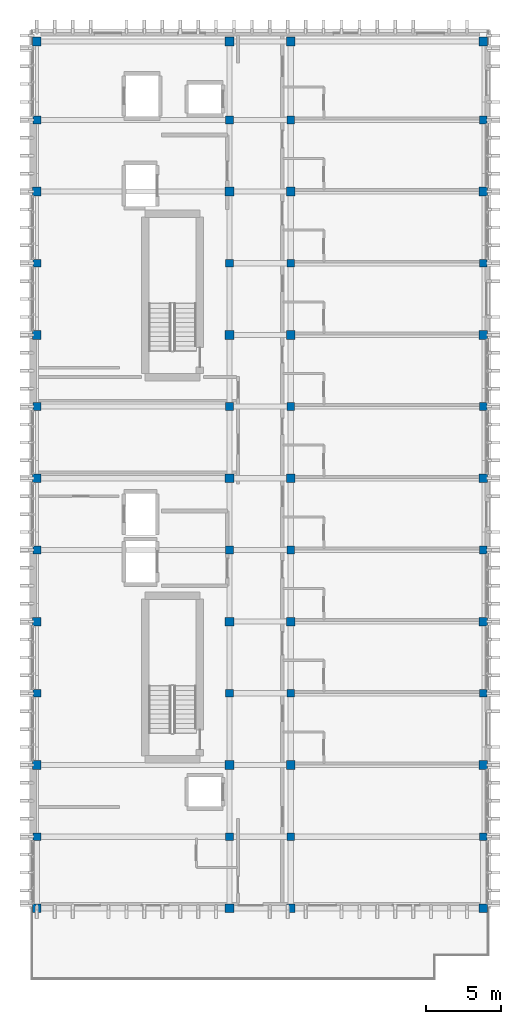
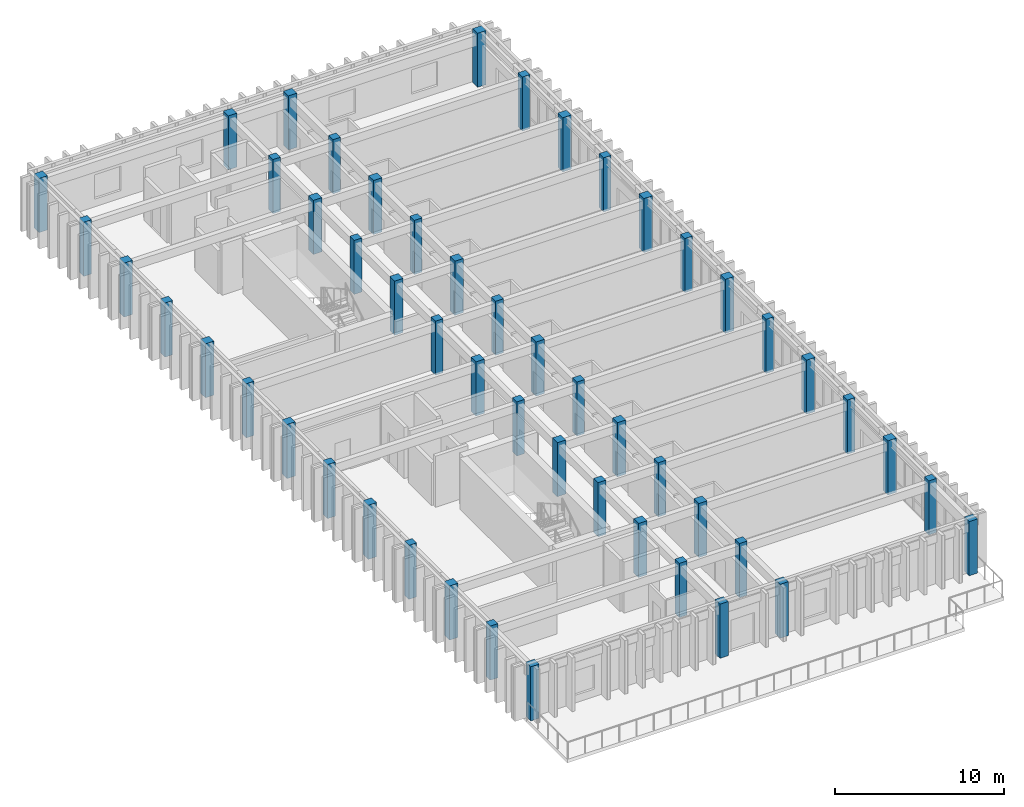
# One storey, part 1 of 49: 52 columns.
"""IFC4 building model written with IfcOpenShell, lengths in metres."""

from ifc_helpers import new_model, si_unit, direction, frame, origin, origin_2d, place, context, subcontext, project, spatial, rectangle, extrude, material, material_profile, profile_set, type_object, element, save


model = new_model("IFC4")

# Units and contexts
model_context = context("Model", 3, precision=1e-05, world=origin(), true_north=direction((0.0, 1.0)))
body_context = subcontext(model_context, "Body", "Model", "MODEL_VIEW")
ifc_project = project(units=[si_unit("LENGTHUNIT", "METRE"), si_unit("AREAUNIT", "SQUARE_METRE"), si_unit("VOLUMEUNIT", "CUBIC_METRE"), si_unit("PLANEANGLEUNIT", "RADIAN"), si_unit("MASSUNIT", "GRAM", prefix="KILO")], contexts=[model_context])

# Site, building, storey
site_placement = place(None, origin())
site = spatial("IfcSite", under=ifc_project, at=site_placement, CompositionType="ELEMENT")
building_placement = place(site_placement, origin())
building = spatial("IfcBuilding", under=site, at=building_placement, Name="Nakhvara Creek Congress Hotel", CompositionType="ELEMENT")
storey_placement = place(building_placement, frame((0.0, 0.0, 46.5)))
storey = spatial("IfcBuildingStorey", under=building, at=storey_placement, Name="L11", CompositionType="ELEMENT", Elevation=46.5)

# Columns
ifc_material = material(Name="Concrete C50/60", Category="concrete")
ifc_material_profile_1 = material_profile(ifc_material, rectangle(XDim=0.52001953125, YDim=0.52001953125, at=origin_2d()), Name="RC-COL 520x520", Category="LoadBearing")
ifc_profile_set_1 = profile_set([ifc_material_profile_1], Name="Concrete C50/60")
column_type_1 = type_object("IfcColumnType", Name="COL-RC-520", PredefinedType="COLUMN", material=ifc_profile_set_1)
for number, where, z_axis, x_axis, name in (
    (1, (149.449951171875, 72.0, 0.0), (0.0, 0.0, 1.0), (1.0, 0.0, 0.0), "Column C24-L11-1903"),
    (2, (149.449951171875, 81.60009765625, 0.0), (0.0, 0.0, 1.0), (1.0, 0.0, 0.0), "Column C24-L11-1904"),
    (3, (149.449951171875, 91.199951171875, 0.0), (0.0, 0.0, 1.0), (1.0, 0.0, 0.0), "Column C24-L11-1905"),
    (4, (149.449951171875, 100.800048828125, 0.0), (0.0, 0.0, 1.0), (1.0, 0.0, 0.0), "Column C24-L11-1906"),
    (5, (149.449951171875, 110.39990234375, 0.0), (0.0, 0.0, 1.0), (1.0, 0.0, 0.0), "Column C24-L11-1907"),
    (6, (149.449951171875, 120.0, 0.0), (0.0, 0.0, 1.0), (1.0, 0.0, 0.0), "Column C24-L11-1908"),
    (7, (162.35009765625, 72.0, 0.0), (0.0, 0.0, 1.0), (1.0, 0.0, 0.0), "Column C24-L11-1909"),
    (8, (162.35009765625, 81.60009765625, 0.0), (0.0, 0.0, 1.0), (1.0, 0.0, 0.0), "Column C24-L11-1910"),
    (9, (162.35009765625, 91.199951171875, 0.0), (0.0, 0.0, 1.0), (1.0, 0.0, 0.0), "Column C24-L11-1911"),
    (10, (162.35009765625, 100.800048828125, 0.0), (0.0, 0.0, 1.0), (1.0, 0.0, 0.0), "Column C24-L11-1912"),
    (11, (162.35009765625, 110.39990234375, 0.0), (0.0, 0.0, 1.0), (1.0, 0.0, 0.0), "Column C24-L11-1913"),
    (12, (162.35009765625, 120.0, 0.0), (0.0, 0.0, 1.0), (1.0, 0.0, 0.0), "Column C24-L11-1914"),
    (13, (166.449951171875, 72.0, 0.0), (0.0, 0.0, 1.0), (1.0, 0.0, 0.0), "Column C24-L11-1915"),
    (14, (166.449951171875, 81.60009765625, 0.0), (0.0, 0.0, 1.0), (1.0, 0.0, 0.0), "Column C24-L11-1916"),
    (15, (166.449951171875, 91.199951171875, 0.0), (0.0, 0.0, 1.0), (1.0, 0.0, 0.0), "Column C24-L11-1917"),
    (16, (166.449951171875, 100.800048828125, 0.0), (0.0, 0.0, 1.0), (1.0, 0.0, 0.0), "Column C24-L11-1918"),
    (17, (166.449951171875, 110.39990234375, 0.0), (0.0, 0.0, 1.0), (1.0, 0.0, 0.0), "Column C24-L11-1919"),
    (18, (166.449951171875, 120.0, 0.0), (0.0, 0.0, 1.0), (1.0, 0.0, 0.0), "Column C24-L11-1920"),
    (19, (179.35009765625, 72.0, 0.0), (0.0, 0.0, 1.0), (1.0, 0.0, 0.0), "Column C24-L11-1921"),
    (20, (179.35009765625, 81.60009765625, 0.0), (0.0, 0.0, 1.0), (1.0, 0.0, 0.0), "Column C24-L11-1922"),
    (21, (179.35009765625, 91.199951171875, 0.0), (0.0, 0.0, 1.0), (1.0, 0.0, 0.0), "Column C24-L11-1923"),
    (22, (179.35009765625, 100.800048828125, 0.0), (0.0, 0.0, 1.0), (1.0, 0.0, 0.0), "Column C24-L11-1924"),
    (23, (179.35009765625, 110.39990234375, 0.0), (0.0, 0.0, 1.0), (1.0, 0.0, 0.0), "Column C24-L11-1925"),
    (24, (179.35009765625, 120.0, 0.0), (0.0, 0.0, 1.0), (1.0, 0.0, 0.0), "Column C24-L11-1926"),
):
    element("IfcColumn", number, at=place(storey_placement, frame(where, z_axis=z_axis, x_axis=x_axis)), inside=storey, type_object=column_type_1, Name=name, PredefinedType="COLUMN", context=body_context, shape_type="SweptSolid", body=[
        extrude(rectangle(XDim=0.52001953125, YDim=0.52001953125, at=origin_2d()), origin(), (0.0, 0.0, 1.0), 3.89990234375),
    ])
ifc_material_profile_2 = material_profile(ifc_material, rectangle(XDim=0.580078125, YDim=0.580078125, at=origin_2d()), Name="RC-COL 580x580", Category="LoadBearing")
ifc_profile_set_2 = profile_set([ifc_material_profile_2], Name="Concrete C50/60")
column_type_2 = type_object("IfcColumnType", Name="COL-RC-580", PredefinedType="COLUMN", material=ifc_profile_set_2)
for number, where, z_axis, x_axis, name in (
    (25, (149.449951171875, 67.199951171875, 0.0), (0.0, 0.0, 1.0), (1.0, 0.0, 0.0), "Column C23-L11-1875"),
    (26, (149.449951171875, 76.800048828125, 0.0), (0.0, 0.0, 1.0), (1.0, 0.0, 0.0), "Column C23-L11-1876"),
    (27, (149.449951171875, 86.39990234375, 0.0), (0.0, 0.0, 1.0), (1.0, 0.0, 0.0), "Column C23-L11-1877"),
    (28, (149.449951171875, 96.0, 0.0), (0.0, 0.0, 1.0), (1.0, 0.0, 0.0), "Column C23-L11-1878"),
    (29, (149.449951171875, 105.60009765625, 0.0), (0.0, 0.0, 1.0), (1.0, 0.0, 0.0), "Column C23-L11-1879"),
    (30, (149.449951171875, 115.199951171875, 0.0), (0.0, 0.0, 1.0), (1.0, 0.0, 0.0), "Column C23-L11-1880"),
    (31, (149.449951171875, 125.25, 0.0), (0.0, 0.0, 1.0), (1.0, 0.0, 0.0), "Column C23-L11-1881"),
    (32, (162.35009765625, 67.199951171875, 0.0), (0.0, 0.0, 1.0), (1.0, 0.0, 0.0), "Column C23-L11-1882"),
    (33, (162.35009765625, 76.800048828125, 0.0), (0.0, 0.0, 1.0), (1.0, 0.0, 0.0), "Column C23-L11-1883"),
    (34, (162.35009765625, 86.39990234375, 0.0), (0.0, 0.0, 1.0), (1.0, 0.0, 0.0), "Column C23-L11-1884"),
    (35, (162.35009765625, 96.0, 0.0), (0.0, 0.0, 1.0), (1.0, 0.0, 0.0), "Column C23-L11-1885"),
    (36, (162.35009765625, 105.60009765625, 0.0), (0.0, 0.0, 1.0), (1.0, 0.0, 0.0), "Column C23-L11-1886"),
    (37, (162.35009765625, 115.199951171875, 0.0), (0.0, 0.0, 1.0), (1.0, 0.0, 0.0), "Column C23-L11-1887"),
    (38, (162.35009765625, 125.25, 0.0), (0.0, 0.0, 1.0), (1.0, 0.0, 0.0), "Column C23-L11-1888"),
    (39, (166.449951171875, 67.199951171875, 0.0), (0.0, 0.0, 1.0), (1.0, 0.0, 0.0), "Column C23-L11-1889"),
    (40, (166.449951171875, 76.800048828125, 0.0), (0.0, 0.0, 1.0), (1.0, 0.0, 0.0), "Column C23-L11-1890"),
    (41, (166.449951171875, 86.39990234375, 0.0), (0.0, 0.0, 1.0), (1.0, 0.0, 0.0), "Column C23-L11-1891"),
    (42, (166.449951171875, 96.0, 0.0), (0.0, 0.0, 1.0), (1.0, 0.0, 0.0), "Column C23-L11-1892"),
    (43, (166.449951171875, 105.60009765625, 0.0), (0.0, 0.0, 1.0), (1.0, 0.0, 0.0), "Column C23-L11-1893"),
    (44, (166.449951171875, 115.199951171875, 0.0), (0.0, 0.0, 1.0), (1.0, 0.0, 0.0), "Column C23-L11-1894"),
    (45, (166.449951171875, 125.25, 0.0), (0.0, 0.0, 1.0), (1.0, 0.0, 0.0), "Column C23-L11-1895"),
    (46, (179.35009765625, 67.199951171875, 0.0), (0.0, 0.0, 1.0), (1.0, 0.0, 0.0), "Column C23-L11-1896"),
    (47, (179.35009765625, 76.800048828125, 0.0), (0.0, 0.0, 1.0), (1.0, 0.0, 0.0), "Column C23-L11-1897"),
    (48, (179.35009765625, 86.39990234375, 0.0), (0.0, 0.0, 1.0), (1.0, 0.0, 0.0), "Column C23-L11-1898"),
    (49, (179.35009765625, 96.0, 0.0), (0.0, 0.0, 1.0), (1.0, 0.0, 0.0), "Column C23-L11-1899"),
    (50, (179.35009765625, 105.60009765625, 0.0), (0.0, 0.0, 1.0), (1.0, 0.0, 0.0), "Column C23-L11-1900"),
    (51, (179.35009765625, 115.199951171875, 0.0), (0.0, 0.0, 1.0), (1.0, 0.0, 0.0), "Column C23-L11-1901"),
    (52, (179.35009765625, 125.25, 0.0), (0.0, 0.0, 1.0), (1.0, 0.0, 0.0), "Column C23-L11-1902"),
):
    element("IfcColumn", number, at=place(storey_placement, frame(where, z_axis=z_axis, x_axis=x_axis)), inside=storey, type_object=column_type_2, Name=name, PredefinedType="COLUMN", context=body_context, shape_type="SweptSolid", body=[
        extrude(rectangle(XDim=0.580078125, YDim=0.580078125, at=origin_2d()), origin(), (0.0, 0.0, 1.0), 3.89990234375),
    ])

save(model, "model.ifc")
